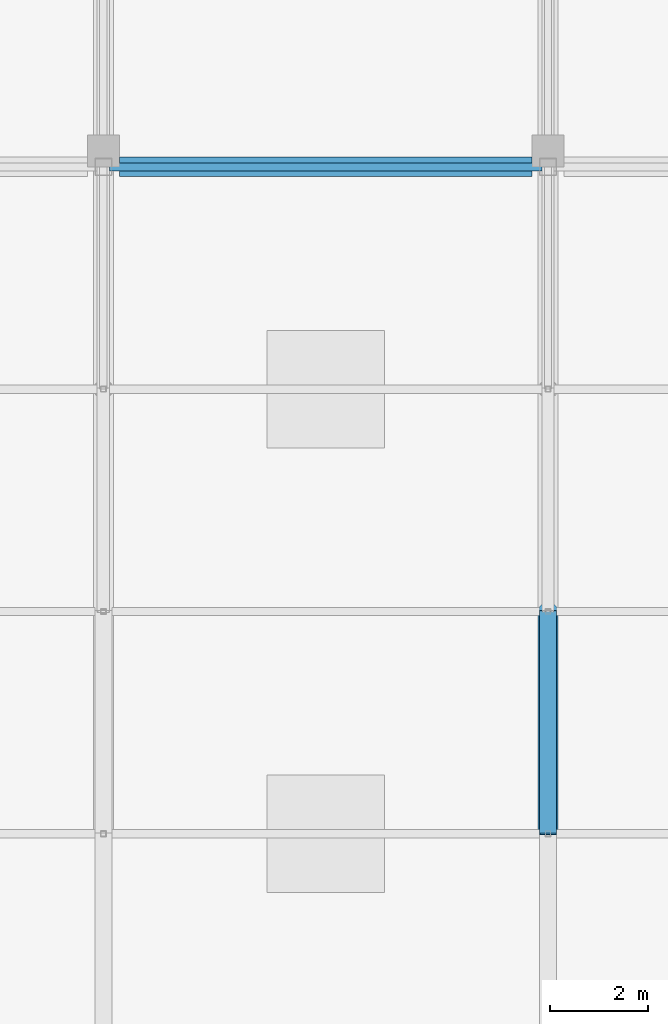
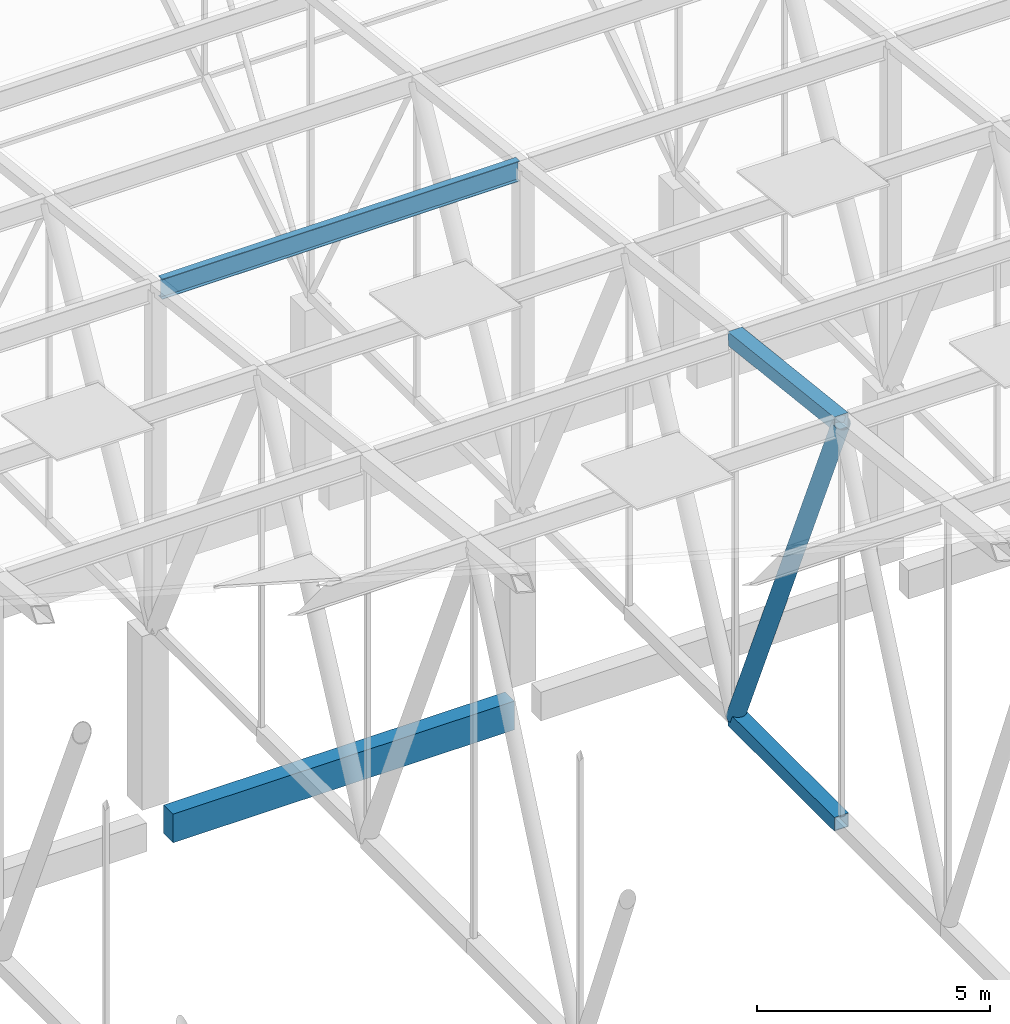
# One storey, part 298 of 500: 4 members, 1 beam.
"""IFC4 building model written with IfcOpenShell, lengths in metres."""

from ifc_helpers import new_model, si_unit, direction, frame, origin, origin_2d, place, context, subcontext, project, spatial, rectangle, hollow_rectangle, hollow_circle, i_section, extrude, material, material_profile, profile_set, type_object, element, save


model = new_model("IFC4")

# Units and contexts
model_context = context("Model", 3, precision=1e-05, world=origin(), true_north=direction((0.0, 1.0)))
body_context = subcontext(model_context, "Body", "Model", "MODEL_VIEW")
ifc_project = project(units=[si_unit("LENGTHUNIT", "METRE"), si_unit("AREAUNIT", "SQUARE_METRE"), si_unit("VOLUMEUNIT", "CUBIC_METRE"), si_unit("PLANEANGLEUNIT", "RADIAN"), si_unit("MASSUNIT", "GRAM", prefix="KILO")], contexts=[model_context])

# Site, building, storey
site_placement = place(None, origin())
site = spatial("IfcSite", under=ifc_project, at=site_placement, CompositionType="ELEMENT")
building_placement = place(site_placement, origin())
building = spatial("IfcBuilding", under=site, at=building_placement, Name="Shirokan Park Arena", CompositionType="ELEMENT")
storey_placement = place(building_placement, frame((0.0, 0.0, 29.1201171875)))
storey = spatial("IfcBuildingStorey", under=building, at=storey_placement, Name="L06", CompositionType="ELEMENT", Elevation=29.1201171875)

# Members
ifc_material_1 = material(Name="Steel ASTM A500 Grade C", Category="steel")
ifc_material_profile_1 = material_profile(ifc_material_1, hollow_rectangle(XDim=0.35595703125, YDim=0.35595703125, WallThickness=0.01904296875, at=origin_2d()), Name="HSS355.6X355.6X19.0")
ifc_profile_set_1 = profile_set([ifc_material_profile_1], Name="Steel ASTM A500 Grade C")
member_type_1 = type_object("IfcMemberType", Name="Bottom chord HSS355.6X355.6X19.0", PredefinedType="CHORD", material=ifc_profile_set_1)
member_1_placement = place(storey_placement, frame((72.800048828125, 86.449951171875, 4.677001953125), z_axis=(0.0, 1.0, 0.0), x_axis=(-1.0, 0.0, 0.0)))
element("IfcMember", 1, at=member_1_placement, inside=storey, type_object=member_type_1, Name="Truss T09 bottom chord 22", PredefinedType="CHORD", context=body_context, shape_type="SweptSolid", body=[
    extrude(hollow_rectangle(XDim=0.35595703125, YDim=0.35595703125, WallThickness=0.01904296875, at=origin_2d()), origin(), (0.0, 0.0, 1.0), 4.550048828125),
])
ifc_material_2 = material(Name="Steel ASTM A992", Category="steel")
ifc_material_profile_2 = material_profile(ifc_material_2, i_section(OverallWidth=0.166015625, OverallDepth=0.528076171875, WebThickness=0.009765625, FlangeThickness=0.013671875, at=origin_2d()), Name="W530X74")
ifc_profile_set_2 = profile_set([ifc_material_profile_2], Name="Steel ASTM A992")
member_type_2 = type_object("IfcMemberType", Name="Purlin W530X74", PredefinedType="PURLIN", material=ifc_profile_set_2)
member_2_placement = place(storey_placement, frame((63.826904296875, 100.10009765625, 13.52587890625), z_axis=(1.0, 0.0, 0.0), x_axis=(0.0, 1.0, 0.0)))
element("IfcMember", 2, at=member_2_placement, inside=storey, type_object=member_type_2, Name="Purlin 25 bay 8", PredefinedType="PURLIN", context=body_context, shape_type="SweptSolid", body=[
    extrude(i_section(OverallWidth=0.166015625, OverallDepth=0.528076171875, WebThickness=0.009765625, FlangeThickness=0.013671875, at=origin_2d()), origin(), (0.0, 0.0, 1.0), 8.84619140625),
])

# Beam
ifc_material_3 = material(Name="Concrete C35", Category="concrete")
ifc_material_profile_3 = material_profile(ifc_material_3, rectangle(XDim=0.39990234375, YDim=0.75, at=origin_2d()), Name="400x750")
ifc_profile_set_3 = profile_set([ifc_material_profile_3], Name="Concrete C35")
beam_type = type_object("IfcBeamType", Name="RC girder 400x750", PredefinedType="BEAM", material=ifc_profile_set_3)
beam_placement = place(storey_placement, frame((64.025146484375, 100.10009765625, -0.5751953125), z_axis=(1.0, 0.0, 0.0), x_axis=(0.0, 1.0, 0.0)))
element("IfcBeam", 3, at=beam_placement, inside=storey, type_object=beam_type, Name="Girder 8M-9M L06", PredefinedType="BEAM", context=body_context, shape_type="SweptSolid", body=[
    extrude(rectangle(XDim=0.39990234375, YDim=0.75, at=origin_2d()), origin(), (0.0, 0.0, 1.0), 8.44970703125),
])

# Members
ifc_material_profile_4 = material_profile(ifc_material_1, hollow_rectangle(XDim=0.35595703125, YDim=0.35595703125, WallThickness=0.01904296875, at=origin_2d()), Name="HSS355.6X355.6X19.0")
ifc_profile_set_4 = profile_set([ifc_material_profile_4], Name="Steel ASTM A500 Grade C")
member_type_3 = type_object("IfcMemberType", Name="Top chord HSS355.6X355.6X19.0", PredefinedType="CHORD", material=ifc_profile_set_4)
member_3_placement = place(storey_placement, frame((72.800048828125, 86.449951171875, 15.141357421875), z_axis=(0.0, 0.993532328996, -0.113549598152), x_axis=(-1.0, 0.0, 0.0)))
element("IfcMember", 4, at=member_3_placement, inside=storey, type_object=member_type_3, Name="Truss T09 top chord 22", PredefinedType="CHORD", context=body_context, shape_type="SweptSolid", body=[
    extrude(hollow_rectangle(XDim=0.35595703125, YDim=0.35595703125, WallThickness=0.01904296875, at=origin_2d()), origin(), (0.0, 0.0, 1.0), 4.57958984375),
])
ifc_material_profile_5 = material_profile(ifc_material_1, hollow_circle(Radius=0.202880859375, WallThickness=0.015869140625, at=origin_2d()), Name="HSS406.4X15.9")
ifc_profile_set_5 = profile_set([ifc_material_profile_5], Name="Steel ASTM A500 Grade C")
member_type_4 = type_object("IfcMemberType", Name="Truss diagonal HSS406.4X15.9", PredefinedType="BRACE", material=ifc_profile_set_5)
member_4_placement = place(storey_placement, frame((72.800048828125, 86.449951171875, 15.141357421875), z_axis=(0.0, 0.398750364192, -0.917059511186), x_axis=(-1.0, 0.0, 0.0)))
element("IfcMember", 5, at=member_4_placement, inside=storey, type_object=member_type_4, Name="Truss T09 diagonal 22", PredefinedType="BRACE", context=body_context, shape_type="SweptSolid", body=[
    extrude(hollow_circle(Radius=0.202880859375, WallThickness=0.015869140625, at=origin_2d()), origin(), (0.0, 0.0, 1.0), 11.410888671875),
])

save(model, "model.ifc")
